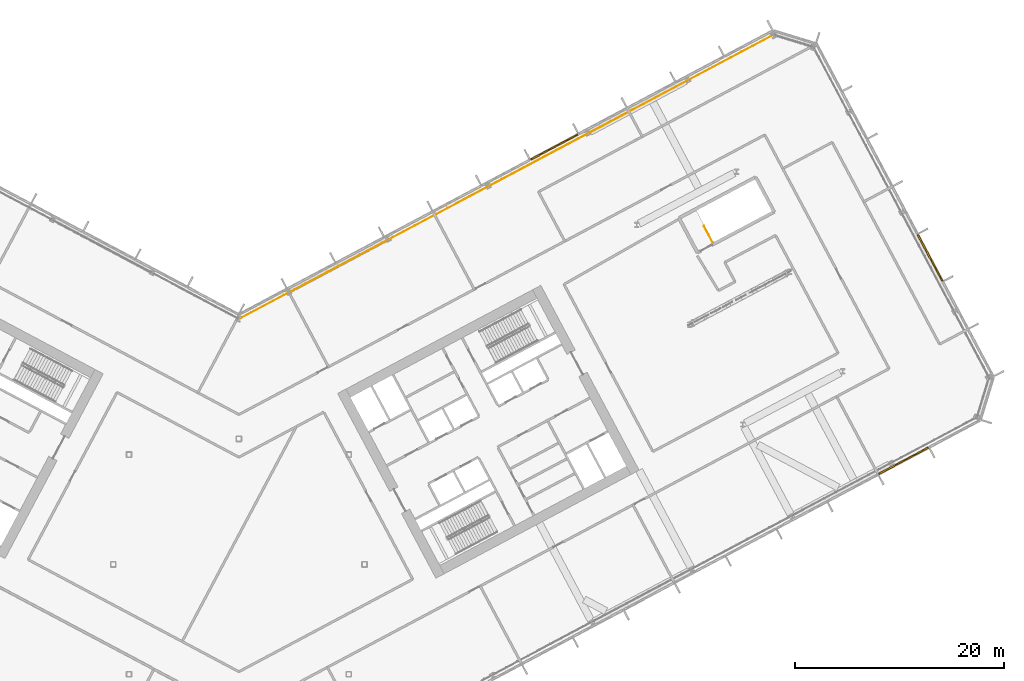
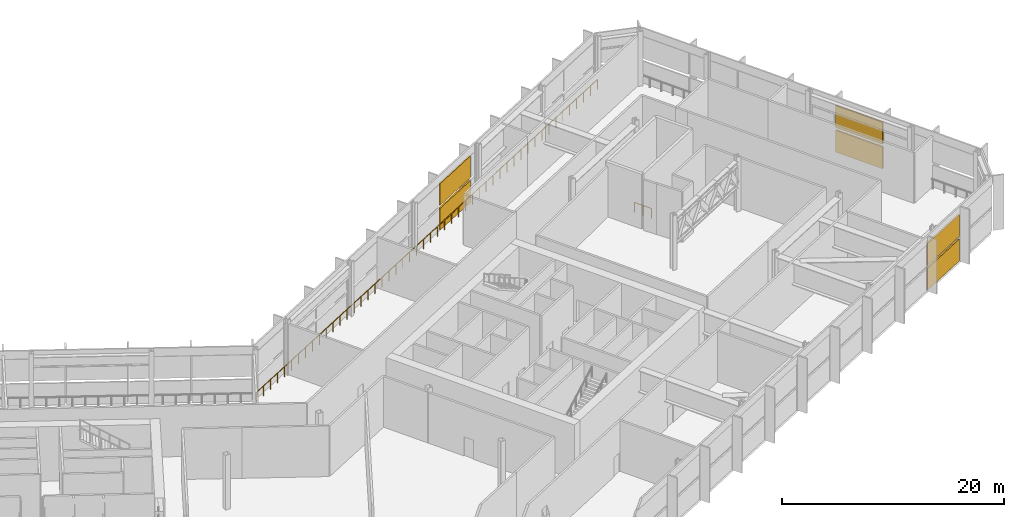
# One storey, part 31 of 33: 6 shading devices, 2 railings, 3 elements without a shape of their own.
"""IFC4 building model written with IfcOpenShell, lengths in metres."""

from ifc_helpers import new_model, si_unit, direction, frame, origin, origin_2d, place, context, subcontext, project, spatial, polyline, rectangle, outline, extrude, material, layer, layer_set, type_object, element, aggregate, save


model = new_model("IFC4")

# Units and contexts
model_context = context("Model", 3, precision=1e-05, world=origin(), true_north=direction((0.0, 1.0)))
body_context = subcontext(model_context, "Body", "Model", "MODEL_VIEW")
ifc_project = project(units=[si_unit("LENGTHUNIT", "METRE"), si_unit("AREAUNIT", "SQUARE_METRE"), si_unit("VOLUMEUNIT", "CUBIC_METRE"), si_unit("PLANEANGLEUNIT", "RADIAN"), si_unit("MASSUNIT", "GRAM", prefix="KILO")], contexts=[model_context])

# Site, building, storey
site_placement = place(None, origin())
site = spatial("IfcSite", under=ifc_project, at=site_placement, CompositionType="ELEMENT")
building_placement = place(site_placement, origin())
building = spatial("IfcBuilding", under=site, at=building_placement, Name="Cormorant Relay Tower", CompositionType="ELEMENT")
storey_placement = place(building_placement, frame((0.0, 0.0, 112.199951171875)))
storey = spatial("IfcBuildingStorey", under=building, at=storey_placement, Name="L22", CompositionType="ELEMENT", Elevation=112.199951171875)

# Railing
ifc_material_1 = material(Name="Stainless steel 316 guard", Category="steel")
railing_type_1 = type_object("IfcRailingType", Name="Band louvre guard 1100", PredefinedType="GUARDRAIL", material=ifc_material_1)
railing_1_placement = place(storey_placement, frame((51.205322265625, 50.670654296875, 0.0)))
element("IfcRailing", 1, at=railing_1_placement, inside=storey, type_object=railing_type_1, Name="CW4 guard 6", PredefinedType="GUARDRAIL", context=body_context, shape_type="SweptSolid", body=[
    extrude(outline(polyline([(0.022216796875, 0.00927734375), (0.00927734375, 0.022216796875), (-0.00927734375, 0.022216796875), (-0.022216796875, 0.00927734375), (-0.022216796875, -0.00927734375), (-0.00927734375, -0.022216796875), (0.00927734375, -0.022216796875), (0.022216796875, -0.00927734375), (0.022216796875, 0.00927734375)])), frame((0.0, 0.0, 1.076171875), z_axis=(-0.882946446228, -0.469473719279, 0.0), x_axis=(0.469473719279, -0.882946446228, 0.0)), (0.0, 0.0, 1.0), 57.834228515625),
    extrude(outline(polyline([(0.019287109375, 0.008056640625), (0.008056640625, 0.019287109375), (-0.008056640625, 0.019287109375), (-0.019287109375, 0.008056640625), (-0.019287109375, -0.008056640625), (-0.008056640625, -0.019287109375), (0.008056640625, -0.019287109375), (0.019287109375, -0.008056640625), (0.019287109375, 0.008056640625)])), origin(), (0.0, 0.0, 1.0), 1.052001953125),
    extrude(outline(polyline([(0.019287109375, 0.008056640625), (0.008056640625, 0.019287109375), (-0.008056640625, 0.019287109375), (-0.019287109375, 0.008056640625), (-0.019287109375, -0.008056640625), (-0.008056640625, -0.019287109375), (0.008056640625, -0.019287109375), (0.019287109375, -0.008056640625), (0.019287109375, 0.008056640625)])), frame((-1.042236328125, -0.55419921875, 0.0)), (0.0, 0.0, 1.0), 1.052001953125),
    extrude(outline(polyline([(0.019287109375, 0.008056640625), (0.008056640625, 0.019287109375), (-0.008056640625, 0.019287109375), (-0.019287109375, 0.008056640625), (-0.019287109375, -0.008056640625), (-0.008056640625, -0.019287109375), (0.008056640625, -0.019287109375), (0.019287109375, -0.008056640625), (0.019287109375, 0.008056640625)])), frame((-2.084228515625, -1.108154296875, 0.0)), (0.0, 0.0, 1.0), 1.052001953125),
    extrude(outline(polyline([(0.019287109375, 0.008056640625), (0.008056640625, 0.019287109375), (-0.008056640625, 0.019287109375), (-0.019287109375, 0.008056640625), (-0.019287109375, -0.008056640625), (-0.008056640625, -0.019287109375), (0.008056640625, -0.019287109375), (0.019287109375, -0.008056640625), (0.019287109375, 0.008056640625)])), frame((-3.12646484375, -1.662353515625, 0.0)), (0.0, 0.0, 1.0), 1.052001953125),
    extrude(outline(polyline([(0.019287109375, 0.008056640625), (0.008056640625, 0.019287109375), (-0.008056640625, 0.019287109375), (-0.019287109375, 0.008056640625), (-0.019287109375, -0.008056640625), (-0.008056640625, -0.019287109375), (0.008056640625, -0.019287109375), (0.019287109375, -0.008056640625), (0.019287109375, 0.008056640625)])), frame((-4.16845703125, -2.216552734375, 0.0)), (0.0, 0.0, 1.0), 1.052001953125),
    extrude(outline(polyline([(0.019287109375, 0.008056640625), (0.008056640625, 0.019287109375), (-0.008056640625, 0.019287109375), (-0.019287109375, 0.008056640625), (-0.019287109375, -0.008056640625), (-0.008056640625, -0.019287109375), (0.008056640625, -0.019287109375), (0.019287109375, -0.008056640625), (0.019287109375, 0.008056640625)])), frame((-5.210693359375, -2.7705078125, 0.0)), (0.0, 0.0, 1.0), 1.052001953125),
    extrude(outline(polyline([(0.019287109375, 0.008056640625), (0.008056640625, 0.019287109375), (-0.008056640625, 0.019287109375), (-0.019287109375, 0.008056640625), (-0.019287109375, -0.008056640625), (-0.008056640625, -0.019287109375), (0.008056640625, -0.019287109375), (0.019287109375, -0.008056640625), (0.019287109375, 0.008056640625)])), frame((-6.252685546875, -3.32470703125, 0.0)), (0.0, 0.0, 1.0), 1.052001953125),
    extrude(outline(polyline([(0.019287109375, 0.008056640625), (0.008056640625, 0.019287109375), (-0.008056640625, 0.019287109375), (-0.019287109375, 0.008056640625), (-0.019287109375, -0.008056640625), (-0.008056640625, -0.019287109375), (0.008056640625, -0.019287109375), (0.019287109375, -0.008056640625), (0.019287109375, 0.008056640625)])), frame((-7.294921875, -3.87890625, 0.0)), (0.0, 0.0, 1.0), 1.052001953125),
    extrude(outline(polyline([(0.019287109375, 0.008056640625), (0.008056640625, 0.019287109375), (-0.008056640625, 0.019287109375), (-0.019287109375, 0.008056640625), (-0.019287109375, -0.008056640625), (-0.008056640625, -0.019287109375), (0.008056640625, -0.019287109375), (0.019287109375, -0.008056640625), (0.019287109375, 0.008056640625)])), frame((-8.337158203125, -4.432861328125, 0.0)), (0.0, 0.0, 1.0), 1.052001953125),
    extrude(outline(polyline([(0.019287109375, 0.008056640625), (0.008056640625, 0.019287109375), (-0.008056640625, 0.019287109375), (-0.019287109375, 0.008056640625), (-0.019287109375, -0.008056640625), (-0.008056640625, -0.019287109375), (0.008056640625, -0.019287109375), (0.019287109375, -0.008056640625), (0.019287109375, 0.008056640625)])), frame((-9.379150390625, -4.987060546875, 0.0)), (0.0, 0.0, 1.0), 1.052001953125),
    extrude(outline(polyline([(0.019287109375, 0.008056640625), (0.008056640625, 0.019287109375), (-0.008056640625, 0.019287109375), (-0.019287109375, 0.008056640625), (-0.019287109375, -0.008056640625), (-0.008056640625, -0.019287109375), (0.008056640625, -0.019287109375), (0.019287109375, -0.008056640625), (0.019287109375, 0.008056640625)])), frame((-10.42138671875, -5.541259765625, 0.0)), (0.0, 0.0, 1.0), 1.052001953125),
    extrude(outline(polyline([(0.019287109375, 0.008056640625), (0.008056640625, 0.019287109375), (-0.008056640625, 0.019287109375), (-0.019287109375, 0.008056640625), (-0.019287109375, -0.008056640625), (-0.008056640625, -0.019287109375), (0.008056640625, -0.019287109375), (0.019287109375, -0.008056640625), (0.019287109375, 0.008056640625)])), frame((-11.46337890625, -6.09521484375, 0.0)), (0.0, 0.0, 1.0), 1.052001953125),
    extrude(outline(polyline([(0.019287109375, 0.008056640625), (0.008056640625, 0.019287109375), (-0.008056640625, 0.019287109375), (-0.019287109375, 0.008056640625), (-0.019287109375, -0.008056640625), (-0.008056640625, -0.019287109375), (0.008056640625, -0.019287109375), (0.019287109375, -0.008056640625), (0.019287109375, 0.008056640625)])), frame((-12.505615234375, -6.6494140625, 0.0)), (0.0, 0.0, 1.0), 1.052001953125),
    extrude(outline(polyline([(0.019287109375, 0.008056640625), (0.008056640625, 0.019287109375), (-0.008056640625, 0.019287109375), (-0.019287109375, 0.008056640625), (-0.019287109375, -0.008056640625), (-0.008056640625, -0.019287109375), (0.008056640625, -0.019287109375), (0.019287109375, -0.008056640625), (0.019287109375, 0.008056640625)])), frame((-13.547607421875, -7.203369140625, 0.0)), (0.0, 0.0, 1.0), 1.052001953125),
    extrude(outline(polyline([(0.019287109375, 0.008056640625), (0.008056640625, 0.019287109375), (-0.008056640625, 0.019287109375), (-0.019287109375, 0.008056640625), (-0.019287109375, -0.008056640625), (-0.008056640625, -0.019287109375), (0.008056640625, -0.019287109375), (0.019287109375, -0.008056640625), (0.019287109375, 0.008056640625)])), frame((-14.58984375, -7.757568359375, 0.0)), (0.0, 0.0, 1.0), 1.052001953125),
    extrude(outline(polyline([(0.019287109375, 0.008056640625), (0.008056640625, 0.019287109375), (-0.008056640625, 0.019287109375), (-0.019287109375, 0.008056640625), (-0.019287109375, -0.008056640625), (-0.008056640625, -0.019287109375), (0.008056640625, -0.019287109375), (0.019287109375, -0.008056640625), (0.019287109375, 0.008056640625)])), frame((-15.632080078125, -8.311767578125, 0.0)), (0.0, 0.0, 1.0), 1.052001953125),
    extrude(outline(polyline([(0.019287109375, 0.008056640625), (0.008056640625, 0.019287109375), (-0.008056640625, 0.019287109375), (-0.019287109375, 0.008056640625), (-0.019287109375, -0.008056640625), (-0.008056640625, -0.019287109375), (0.008056640625, -0.019287109375), (0.019287109375, -0.008056640625), (0.019287109375, 0.008056640625)])), frame((-16.674072265625, -8.86572265625, 0.0)), (0.0, 0.0, 1.0), 1.052001953125),
    extrude(outline(polyline([(0.019287109375, 0.008056640625), (0.008056640625, 0.019287109375), (-0.008056640625, 0.019287109375), (-0.019287109375, 0.008056640625), (-0.019287109375, -0.008056640625), (-0.008056640625, -0.019287109375), (0.008056640625, -0.019287109375), (0.019287109375, -0.008056640625), (0.019287109375, 0.008056640625)])), frame((-17.71630859375, -9.419921875, 0.0)), (0.0, 0.0, 1.0), 1.052001953125),
    extrude(outline(polyline([(0.019287109375, 0.008056640625), (0.008056640625, 0.019287109375), (-0.008056640625, 0.019287109375), (-0.019287109375, 0.008056640625), (-0.019287109375, -0.008056640625), (-0.008056640625, -0.019287109375), (0.008056640625, -0.019287109375), (0.019287109375, -0.008056640625), (0.019287109375, 0.008056640625)])), frame((-18.75830078125, -9.97412109375, 0.0)), (0.0, 0.0, 1.0), 1.052001953125),
    extrude(outline(polyline([(0.019287109375, 0.008056640625), (0.008056640625, 0.019287109375), (-0.008056640625, 0.019287109375), (-0.019287109375, 0.008056640625), (-0.019287109375, -0.008056640625), (-0.008056640625, -0.019287109375), (0.008056640625, -0.019287109375), (0.019287109375, -0.008056640625), (0.019287109375, 0.008056640625)])), frame((-19.800537109375, -10.528076171875, 0.0)), (0.0, 0.0, 1.0), 1.052001953125),
    extrude(outline(polyline([(0.019287109375, 0.008056640625), (0.008056640625, 0.019287109375), (-0.008056640625, 0.019287109375), (-0.019287109375, 0.008056640625), (-0.019287109375, -0.008056640625), (-0.008056640625, -0.019287109375), (0.008056640625, -0.019287109375), (0.019287109375, -0.008056640625), (0.019287109375, 0.008056640625)])), frame((-20.842529296875, -11.082275390625, 0.0)), (0.0, 0.0, 1.0), 1.052001953125),
    extrude(outline(polyline([(0.019287109375, 0.008056640625), (0.008056640625, 0.019287109375), (-0.008056640625, 0.019287109375), (-0.019287109375, 0.008056640625), (-0.019287109375, -0.008056640625), (-0.008056640625, -0.019287109375), (0.008056640625, -0.019287109375), (0.019287109375, -0.008056640625), (0.019287109375, 0.008056640625)])), frame((-21.884765625, -11.636474609375, 0.0)), (0.0, 0.0, 1.0), 1.052001953125),
    extrude(outline(polyline([(0.019287109375, 0.008056640625), (0.008056640625, 0.019287109375), (-0.008056640625, 0.019287109375), (-0.019287109375, 0.008056640625), (-0.019287109375, -0.008056640625), (-0.008056640625, -0.019287109375), (0.008056640625, -0.019287109375), (0.019287109375, -0.008056640625), (0.019287109375, 0.008056640625)])), frame((-22.927001953125, -12.1904296875, 0.0)), (0.0, 0.0, 1.0), 1.052001953125),
    extrude(outline(polyline([(0.019287109375, 0.008056640625), (0.008056640625, 0.019287109375), (-0.008056640625, 0.019287109375), (-0.019287109375, 0.008056640625), (-0.019287109375, -0.008056640625), (-0.008056640625, -0.019287109375), (0.008056640625, -0.019287109375), (0.019287109375, -0.008056640625), (0.019287109375, 0.008056640625)])), frame((-23.968994140625, -12.74462890625, 0.0)), (0.0, 0.0, 1.0), 1.052001953125),
    extrude(outline(polyline([(0.019287109375, 0.008056640625), (0.008056640625, 0.019287109375), (-0.008056640625, 0.019287109375), (-0.019287109375, 0.008056640625), (-0.019287109375, -0.008056640625), (-0.008056640625, -0.019287109375), (0.008056640625, -0.019287109375), (0.019287109375, -0.008056640625), (0.019287109375, 0.008056640625)])), frame((-25.01123046875, -13.298828125, 0.0)), (0.0, 0.0, 1.0), 1.052001953125),
    extrude(outline(polyline([(0.019287109375, 0.008056640625), (0.008056640625, 0.019287109375), (-0.008056640625, 0.019287109375), (-0.019287109375, 0.008056640625), (-0.019287109375, -0.008056640625), (-0.008056640625, -0.019287109375), (0.008056640625, -0.019287109375), (0.019287109375, -0.008056640625), (0.019287109375, 0.008056640625)])), frame((-26.05322265625, -13.852783203125, 0.0)), (0.0, 0.0, 1.0), 1.052001953125),
    extrude(outline(polyline([(0.019287109375, 0.008056640625), (0.008056640625, 0.019287109375), (-0.008056640625, 0.019287109375), (-0.019287109375, 0.008056640625), (-0.019287109375, -0.008056640625), (-0.008056640625, -0.019287109375), (0.008056640625, -0.019287109375), (0.019287109375, -0.008056640625), (0.019287109375, 0.008056640625)])), frame((-27.095458984375, -14.406982421875, 0.0)), (0.0, 0.0, 1.0), 1.052001953125),
    extrude(outline(polyline([(0.019287109375, 0.008056640625), (0.008056640625, 0.019287109375), (-0.008056640625, 0.019287109375), (-0.019287109375, 0.008056640625), (-0.019287109375, -0.008056640625), (-0.008056640625, -0.019287109375), (0.008056640625, -0.019287109375), (0.019287109375, -0.008056640625), (0.019287109375, 0.008056640625)])), frame((-28.137451171875, -14.961181640625, 0.0)), (0.0, 0.0, 1.0), 1.052001953125),
    extrude(outline(polyline([(0.019287109375, 0.008056640625), (0.008056640625, 0.019287109375), (-0.008056640625, 0.019287109375), (-0.019287109375, 0.008056640625), (-0.019287109375, -0.008056640625), (-0.008056640625, -0.019287109375), (0.008056640625, -0.019287109375), (0.019287109375, -0.008056640625), (0.019287109375, 0.008056640625)])), frame((-29.1796875, -15.51513671875, 0.0)), (0.0, 0.0, 1.0), 1.052001953125),
    extrude(outline(polyline([(0.019287109375, 0.008056640625), (0.008056640625, 0.019287109375), (-0.008056640625, 0.019287109375), (-0.019287109375, 0.008056640625), (-0.019287109375, -0.008056640625), (-0.008056640625, -0.019287109375), (0.008056640625, -0.019287109375), (0.019287109375, -0.008056640625), (0.019287109375, 0.008056640625)])), frame((-30.221923828125, -16.0693359375, 0.0)), (0.0, 0.0, 1.0), 1.052001953125),
    extrude(outline(polyline([(0.019287109375, 0.008056640625), (0.008056640625, 0.019287109375), (-0.008056640625, 0.019287109375), (-0.019287109375, 0.008056640625), (-0.019287109375, -0.008056640625), (-0.008056640625, -0.019287109375), (0.008056640625, -0.019287109375), (0.019287109375, -0.008056640625), (0.019287109375, 0.008056640625)])), frame((-31.263916015625, -16.62353515625, 0.0)), (0.0, 0.0, 1.0), 1.052001953125),
    extrude(outline(polyline([(0.019287109375, 0.008056640625), (0.008056640625, 0.019287109375), (-0.008056640625, 0.019287109375), (-0.019287109375, 0.008056640625), (-0.019287109375, -0.008056640625), (-0.008056640625, -0.019287109375), (0.008056640625, -0.019287109375), (0.019287109375, -0.008056640625), (0.019287109375, 0.008056640625)])), frame((-32.30615234375, -17.177490234375, 0.0)), (0.0, 0.0, 1.0), 1.052001953125),
    extrude(outline(polyline([(0.019287109375, 0.008056640625), (0.008056640625, 0.019287109375), (-0.008056640625, 0.019287109375), (-0.019287109375, 0.008056640625), (-0.019287109375, -0.008056640625), (-0.008056640625, -0.019287109375), (0.008056640625, -0.019287109375), (0.019287109375, -0.008056640625), (0.019287109375, 0.008056640625)])), frame((-33.34814453125, -17.731689453125, 0.0)), (0.0, 0.0, 1.0), 1.052001953125),
    extrude(outline(polyline([(0.019287109375, 0.008056640625), (0.008056640625, 0.019287109375), (-0.008056640625, 0.019287109375), (-0.019287109375, 0.008056640625), (-0.019287109375, -0.008056640625), (-0.008056640625, -0.019287109375), (0.008056640625, -0.019287109375), (0.019287109375, -0.008056640625), (0.019287109375, 0.008056640625)])), frame((-34.390380859375, -18.285888671875, 0.0)), (0.0, 0.0, 1.0), 1.052001953125),
    extrude(outline(polyline([(0.019287109375, 0.008056640625), (0.008056640625, 0.019287109375), (-0.008056640625, 0.019287109375), (-0.019287109375, 0.008056640625), (-0.019287109375, -0.008056640625), (-0.008056640625, -0.019287109375), (0.008056640625, -0.019287109375), (0.019287109375, -0.008056640625), (0.019287109375, 0.008056640625)])), frame((-35.432373046875, -18.83984375, 0.0)), (0.0, 0.0, 1.0), 1.052001953125),
    extrude(outline(polyline([(0.019287109375, 0.008056640625), (0.008056640625, 0.019287109375), (-0.008056640625, 0.019287109375), (-0.019287109375, 0.008056640625), (-0.019287109375, -0.008056640625), (-0.008056640625, -0.019287109375), (0.008056640625, -0.019287109375), (0.019287109375, -0.008056640625), (0.019287109375, 0.008056640625)])), frame((-36.474609375, -19.39404296875, 0.0)), (0.0, 0.0, 1.0), 1.052001953125),
    extrude(outline(polyline([(0.019287109375, 0.008056640625), (0.008056640625, 0.019287109375), (-0.008056640625, 0.019287109375), (-0.019287109375, 0.008056640625), (-0.019287109375, -0.008056640625), (-0.008056640625, -0.019287109375), (0.008056640625, -0.019287109375), (0.019287109375, -0.008056640625), (0.019287109375, 0.008056640625)])), frame((-37.516845703125, -19.9482421875, 0.0)), (0.0, 0.0, 1.0), 1.052001953125),
    extrude(outline(polyline([(0.019287109375, 0.008056640625), (0.008056640625, 0.019287109375), (-0.008056640625, 0.019287109375), (-0.019287109375, 0.008056640625), (-0.019287109375, -0.008056640625), (-0.008056640625, -0.019287109375), (0.008056640625, -0.019287109375), (0.019287109375, -0.008056640625), (0.019287109375, 0.008056640625)])), frame((-38.558837890625, -20.502197265625, 0.0)), (0.0, 0.0, 1.0), 1.052001953125),
    extrude(outline(polyline([(0.019287109375, 0.008056640625), (0.008056640625, 0.019287109375), (-0.008056640625, 0.019287109375), (-0.019287109375, 0.008056640625), (-0.019287109375, -0.008056640625), (-0.008056640625, -0.019287109375), (0.008056640625, -0.019287109375), (0.019287109375, -0.008056640625), (0.019287109375, 0.008056640625)])), frame((-39.60107421875, -21.056396484375, 0.0)), (0.0, 0.0, 1.0), 1.052001953125),
    extrude(outline(polyline([(0.019287109375, 0.008056640625), (0.008056640625, 0.019287109375), (-0.008056640625, 0.019287109375), (-0.019287109375, 0.008056640625), (-0.019287109375, -0.008056640625), (-0.008056640625, -0.019287109375), (0.008056640625, -0.019287109375), (0.019287109375, -0.008056640625), (0.019287109375, 0.008056640625)])), frame((-40.64306640625, -21.6103515625, 0.0)), (0.0, 0.0, 1.0), 1.052001953125),
    extrude(outline(polyline([(0.019287109375, 0.008056640625), (0.008056640625, 0.019287109375), (-0.008056640625, 0.019287109375), (-0.019287109375, 0.008056640625), (-0.019287109375, -0.008056640625), (-0.008056640625, -0.019287109375), (0.008056640625, -0.019287109375), (0.019287109375, -0.008056640625), (0.019287109375, 0.008056640625)])), frame((-41.685302734375, -22.16455078125, 0.0)), (0.0, 0.0, 1.0), 1.052001953125),
    extrude(outline(polyline([(0.019287109375, 0.008056640625), (0.008056640625, 0.019287109375), (-0.008056640625, 0.019287109375), (-0.019287109375, 0.008056640625), (-0.019287109375, -0.008056640625), (-0.008056640625, -0.019287109375), (0.008056640625, -0.019287109375), (0.019287109375, -0.008056640625), (0.019287109375, 0.008056640625)])), frame((-42.727294921875, -22.71875, 0.0)), (0.0, 0.0, 1.0), 1.052001953125),
    extrude(outline(polyline([(0.019287109375, 0.008056640625), (0.008056640625, 0.019287109375), (-0.008056640625, 0.019287109375), (-0.019287109375, 0.008056640625), (-0.019287109375, -0.008056640625), (-0.008056640625, -0.019287109375), (0.008056640625, -0.019287109375), (0.019287109375, -0.008056640625), (0.019287109375, 0.008056640625)])), frame((-43.76953125, -23.272705078125, 0.0)), (0.0, 0.0, 1.0), 1.052001953125),
    extrude(outline(polyline([(0.019287109375, 0.008056640625), (0.008056640625, 0.019287109375), (-0.008056640625, 0.019287109375), (-0.019287109375, 0.008056640625), (-0.019287109375, -0.008056640625), (-0.008056640625, -0.019287109375), (0.008056640625, -0.019287109375), (0.019287109375, -0.008056640625), (0.019287109375, 0.008056640625)])), frame((-44.811767578125, -23.826904296875, 0.0)), (0.0, 0.0, 1.0), 1.052001953125),
    extrude(outline(polyline([(0.019287109375, 0.008056640625), (0.008056640625, 0.019287109375), (-0.008056640625, 0.019287109375), (-0.019287109375, 0.008056640625), (-0.019287109375, -0.008056640625), (-0.008056640625, -0.019287109375), (0.008056640625, -0.019287109375), (0.019287109375, -0.008056640625), (0.019287109375, 0.008056640625)])), frame((-45.853759765625, -24.381103515625, 0.0)), (0.0, 0.0, 1.0), 1.052001953125),
    extrude(outline(polyline([(0.019287109375, 0.008056640625), (0.008056640625, 0.019287109375), (-0.008056640625, 0.019287109375), (-0.019287109375, 0.008056640625), (-0.019287109375, -0.008056640625), (-0.008056640625, -0.019287109375), (0.008056640625, -0.019287109375), (0.019287109375, -0.008056640625), (0.019287109375, 0.008056640625)])), frame((-46.89599609375, -24.93505859375, 0.0)), (0.0, 0.0, 1.0), 1.052001953125),
    extrude(outline(polyline([(0.019287109375, 0.008056640625), (0.008056640625, 0.019287109375), (-0.008056640625, 0.019287109375), (-0.019287109375, 0.008056640625), (-0.019287109375, -0.008056640625), (-0.008056640625, -0.019287109375), (0.008056640625, -0.019287109375), (0.019287109375, -0.008056640625), (0.019287109375, 0.008056640625)])), frame((-47.93798828125, -25.4892578125, 0.0)), (0.0, 0.0, 1.0), 1.052001953125),
    extrude(outline(polyline([(0.019287109375, 0.008056640625), (0.008056640625, 0.019287109375), (-0.008056640625, 0.019287109375), (-0.019287109375, 0.008056640625), (-0.019287109375, -0.008056640625), (-0.008056640625, -0.019287109375), (0.008056640625, -0.019287109375), (0.019287109375, -0.008056640625), (0.019287109375, 0.008056640625)])), frame((-48.980224609375, -26.04345703125, 0.0)), (0.0, 0.0, 1.0), 1.052001953125),
    extrude(outline(polyline([(0.019287109375, 0.008056640625), (0.008056640625, 0.019287109375), (-0.008056640625, 0.019287109375), (-0.019287109375, 0.008056640625), (-0.019287109375, -0.008056640625), (-0.008056640625, -0.019287109375), (0.008056640625, -0.019287109375), (0.019287109375, -0.008056640625), (0.019287109375, 0.008056640625)])), frame((-50.022216796875, -26.597412109375, 0.0)), (0.0, 0.0, 1.0), 1.052001953125),
    extrude(outline(polyline([(0.019287109375, 0.008056640625), (0.008056640625, 0.019287109375), (-0.008056640625, 0.019287109375), (-0.019287109375, 0.008056640625), (-0.019287109375, -0.008056640625), (-0.008056640625, -0.019287109375), (0.008056640625, -0.019287109375), (0.019287109375, -0.008056640625), (0.019287109375, 0.008056640625)])), frame((-51.064453125, -27.151611328125, 0.0)), (0.0, 0.0, 1.0), 1.052001953125),
])

# Curtain wall, shading devices
ifc_material_2 = material(Name="Aluminium 6063-T6 anodised bronze", Category="aluminium")
ifc_layer = layer(ifc_material_2, 0.199951171875)
ifc_layer_set = layer_set([ifc_layer], Name="CW4 band louvre wall")
curtain_wall_type = type_object("IfcCurtainWallType", Name="CW4 band louvre wall", PredefinedType="NOTDEFINED", material=ifc_layer_set)
curtain_wall_1_placement = place(storey_placement, origin())
curtain_wall_1 = element("IfcCurtainWall", 2, at=curtain_wall_1_placement, inside=storey, type_object=curtain_wall_type, Name="CW4 curtain wall 2", PredefinedType="NOTDEFINED")
ifc_material_3 = material(Name="Aluminium 6063-T6 anodised bronze louvre", Category="aluminium")
shading_device_type = type_object("IfcShadingDeviceType", Name="CW4 bronze louvre bank 150 x 2400", PredefinedType="USERDEFINED", material=ifc_material_3)
shading_device_1_placement = place(storey_placement, frame((63.517578125, 9.90380859375, 2.7001953125), z_axis=(0.0, 0.0, 1.0), x_axis=(0.882947592859, 0.469471562786, 0.0)))
shading_device_1 = element("IfcShadingDevice", 3, at=shading_device_1_placement, type_object=shading_device_type, Name="CW4 louvre bank U2.13", ObjectType="LOUVRE", PredefinedType="USERDEFINED", context=body_context, shape_type="SweptSolid", body=[
    extrude(rectangle(XDim=5.36181640625, YDim=0.14990234375, at=origin_2d()), origin(), (0.0, 0.0, 1.0), 2.39990234375),
])
shading_device_2_placement = place(storey_placement, frame((63.517578125, 9.90380859375, 0.0), z_axis=(0.0, 0.0, 1.0), x_axis=(0.882947592859, 0.469471562786, 0.0)))
shading_device_2 = element("IfcShadingDevice", 4, at=shading_device_2_placement, type_object=shading_device_type, Name="CW4 louvre bank D2.13", ObjectType="LOUVRE", PredefinedType="USERDEFINED", context=body_context, shape_type="SweptSolid", body=[
    extrude(rectangle(XDim=5.36181640625, YDim=0.14990234375, at=origin_2d()), origin(), (0.0, 0.0, 1.0), 2.39990234375),
])
aggregate(curtain_wall_1, [shading_device_1, shading_device_2])

curtain_wall_2_placement = place(storey_placement, origin())
curtain_wall_2 = element("IfcCurtainWall", 5, at=curtain_wall_2_placement, inside=storey, type_object=curtain_wall_type, Name="CW4 curtain wall 4", PredefinedType="NOTDEFINED")
shading_device_3_placement = place(storey_placement, frame((66.052978515625, 29.29638671875, 2.7001953125), z_axis=(0.0, 0.0, 1.0), x_axis=(-0.469471562786, 0.882947592859, 0.0)))
shading_device_3 = element("IfcShadingDevice", 6, at=shading_device_3_placement, type_object=shading_device_type, Name="CW4 louvre bank U4.3", ObjectType="LOUVRE", PredefinedType="USERDEFINED", context=body_context, shape_type="SweptSolid", body=[
    extrude(rectangle(XDim=4.992919921875, YDim=0.14990234375, at=origin_2d()), origin(), (0.0, 0.0, 1.0), 2.39990234375),
])
shading_device_4_placement = place(storey_placement, frame((66.052978515625, 29.29638671875, 0.0), z_axis=(0.0, 0.0, 1.0), x_axis=(-0.469471562786, 0.882947592859, 0.0)))
shading_device_4 = element("IfcShadingDevice", 7, at=shading_device_4_placement, type_object=shading_device_type, Name="CW4 louvre bank D4.3", ObjectType="LOUVRE", PredefinedType="USERDEFINED", context=body_context, shape_type="SweptSolid", body=[
    extrude(rectangle(XDim=4.992919921875, YDim=0.14990234375, at=origin_2d()), origin(), (0.0, 0.0, 1.0), 2.39990234375),
])
aggregate(curtain_wall_2, [shading_device_3, shading_device_4])

curtain_wall_3_placement = place(storey_placement, origin())
curtain_wall_3 = element("IfcCurtainWall", 8, at=curtain_wall_3_placement, inside=storey, type_object=curtain_wall_type, Name="CW4 curtain wall 6", PredefinedType="NOTDEFINED")
shading_device_5_placement = place(storey_placement, frame((30.139404296875, 39.894287109375, 2.7001953125), z_axis=(0.0, 0.0, 1.0), x_axis=(-0.882947592859, -0.469471562786, 0.0)))
shading_device_5 = element("IfcShadingDevice", 9, at=shading_device_5_placement, type_object=shading_device_type, Name="CW4 louvre bank U6.5", ObjectType="LOUVRE", PredefinedType="USERDEFINED", context=body_context, shape_type="SweptSolid", body=[
    extrude(rectangle(XDim=5.107666015625, YDim=0.14990234375, at=origin_2d()), origin(), (0.0, 0.0, 1.0), 2.39990234375),
])
shading_device_6_placement = place(storey_placement, frame((30.139404296875, 39.894287109375, 0.0), z_axis=(0.0, 0.0, 1.0), x_axis=(-0.882947592859, -0.469471562786, 0.0)))
shading_device_6 = element("IfcShadingDevice", 10, at=shading_device_6_placement, type_object=shading_device_type, Name="CW4 louvre bank D6.5", ObjectType="LOUVRE", PredefinedType="USERDEFINED", context=body_context, shape_type="SweptSolid", body=[
    extrude(rectangle(XDim=5.107666015625, YDim=0.14990234375, at=origin_2d()), origin(), (0.0, 0.0, 1.0), 2.39990234375),
])
aggregate(curtain_wall_3, [shading_device_5, shading_device_6])

# Railing
ifc_material_4 = material(Name="Steel ASTM A572 Grade 50 (Fy 345 MPa)", Category="steel")
railing_type_2 = type_object("IfcRailingType", Name="Stair guard 1100", PredefinedType="GUARDRAIL", material=ifc_material_4)
railing_2_placement = place(storey_placement, frame((45.290771484375, 30.750244140625, 0.0)))
element("IfcRailing", 11, at=railing_2_placement, inside=storey, type_object=railing_type_2, Name="L22 RB1 top well guard 1", PredefinedType="GUARDRAIL", context=body_context, shape_type="SweptSolid", body=[
    extrude(outline(polyline([(0.022216796875, 0.00927734375), (0.00927734375, 0.022216796875), (-0.00927734375, 0.022216796875), (-0.022216796875, 0.00927734375), (-0.022216796875, -0.00927734375), (-0.00927734375, -0.022216796875), (0.00927734375, -0.022216796875), (0.022216796875, -0.00927734375), (0.022216796875, 0.00927734375)])), frame((0.0, 0.0, 1.076171875), z_axis=(-0.469426263522, 0.882971677414, 0.0), x_axis=(-0.882971677414, -0.469426263522, 0.0)), (0.0, 0.0, 1.0), 1.800048828125),
    extrude(outline(polyline([(0.019287109375, 0.008056640625), (0.008056640625, 0.019287109375), (-0.008056640625, 0.019287109375), (-0.019287109375, 0.008056640625), (-0.019287109375, -0.008056640625), (-0.008056640625, -0.019287109375), (0.008056640625, -0.019287109375), (0.019287109375, -0.008056640625), (0.019287109375, 0.008056640625)])), origin(), (0.0, 0.0, 1.0), 1.052001953125),
    extrude(outline(polyline([(0.019287109375, 0.008056640625), (0.008056640625, 0.019287109375), (-0.008056640625, 0.019287109375), (-0.019287109375, 0.008056640625), (-0.019287109375, -0.008056640625), (-0.008056640625, -0.019287109375), (0.008056640625, -0.019287109375), (0.019287109375, -0.008056640625), (0.019287109375, 0.008056640625)])), frame((-0.42236328125, 0.794677734375, 0.0)), (0.0, 0.0, 1.0), 1.052001953125),
    extrude(outline(polyline([(0.019287109375, 0.008056640625), (0.008056640625, 0.019287109375), (-0.008056640625, 0.019287109375), (-0.019287109375, 0.008056640625), (-0.019287109375, -0.008056640625), (-0.008056640625, -0.019287109375), (0.008056640625, -0.019287109375), (0.019287109375, -0.008056640625), (0.019287109375, 0.008056640625)])), frame((-0.844970703125, 1.58935546875, 0.0)), (0.0, 0.0, 1.0), 1.052001953125),
])

save(model, "model.ifc")
